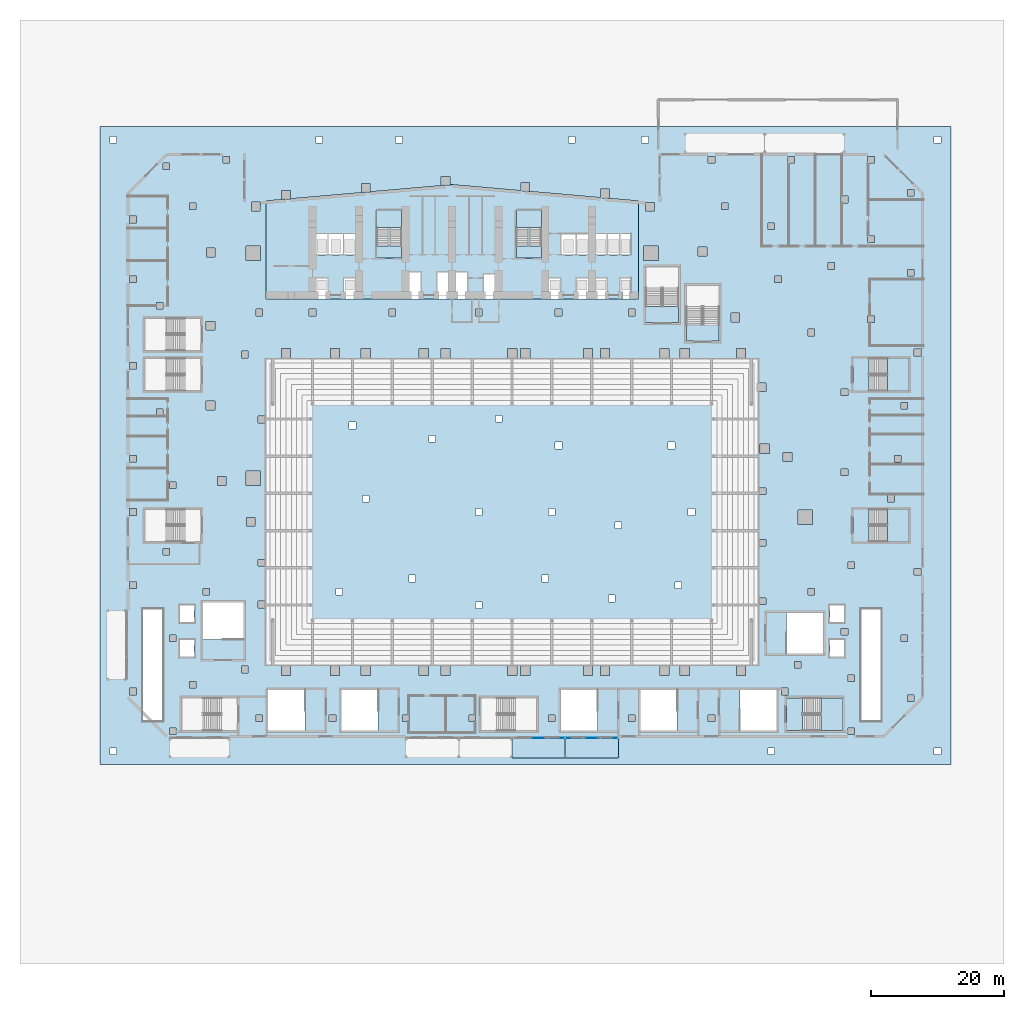
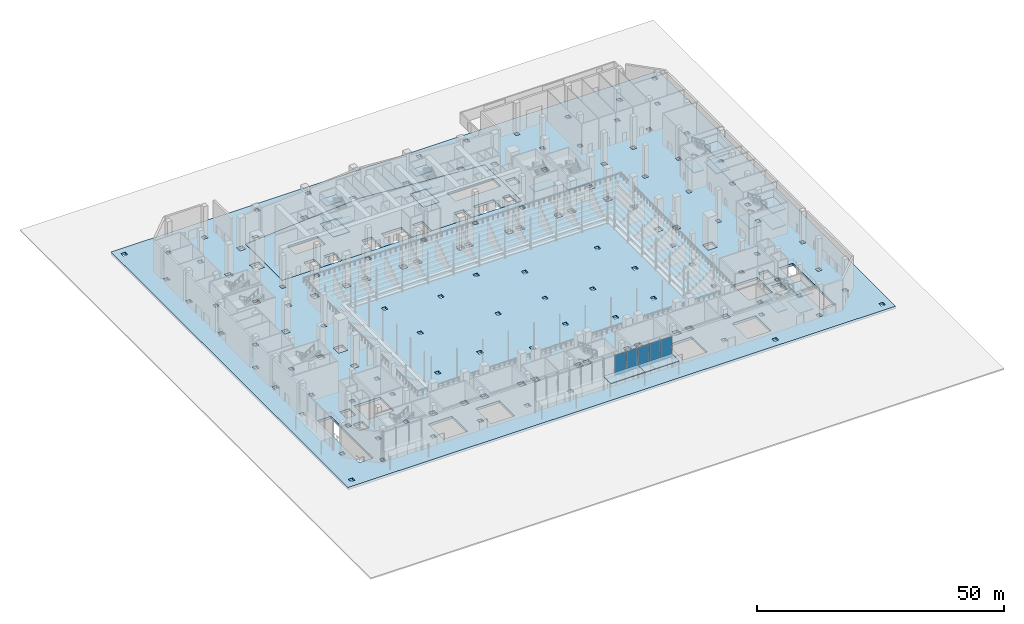
# One storey, part 18 of 41: 23 slabs, 5 plates, 9 elements without a shape of their own.
"""IFC4 building model written with IfcOpenShell, lengths in metres."""

from ifc_helpers import new_model, si_unit, direction, frame, origin, origin_2d, place, context, subcontext, project, spatial, polyline, rectangle, outline, extrude, material, layer, layer_set, type_object, element, aggregate, save


model = new_model("IFC4")

# Units and contexts
model_context = context("Model", 3, precision=1e-05, world=origin(), true_north=direction((0.0, 1.0)))
body_context = subcontext(model_context, "Body", "Model", "MODEL_VIEW")
ifc_project = project(units=[si_unit("LENGTHUNIT", "METRE"), si_unit("AREAUNIT", "SQUARE_METRE"), si_unit("VOLUMEUNIT", "CUBIC_METRE"), si_unit("PLANEANGLEUNIT", "RADIAN"), si_unit("MASSUNIT", "GRAM", prefix="KILO")], contexts=[model_context])

# Site, building, storey
site_placement = place(None, origin())
site = spatial("IfcSite", under=ifc_project, at=site_placement, CompositionType="ELEMENT")
building_placement = place(site_placement, origin())
building = spatial("IfcBuilding", under=site, at=building_placement, Name="Wharfspan Tower", CompositionType="ELEMENT")
storey_placement = place(building_placement, origin())
storey = spatial("IfcBuildingStorey", under=building, at=storey_placement, Name="L00", CompositionType="ELEMENT", Elevation=0.0)

# Slabs
ifc_material_1 = material(Name="Concrete C40/50", Category="concrete")
ifc_layer_1 = layer(ifc_material_1, 0.199951)
ifc_layer_set_1 = layer_set([ifc_layer_1], Name="Concrete C40/50")
slab_type_1 = type_object("IfcSlabType", Name="ENTRANCE CANOPY 200", PredefinedType="ROOF", material=ifc_layer_set_1)
slab_1_placement = place(storey_placement, frame((0.0, 0.0, 3.199707)))
element("IfcSlab", 1, at=slab_1_placement, inside=storey, type_object=slab_type_1, Name="Entrance canopy", PredefinedType="ROOF", context=body_context, shape_type="SweptSolid", body=[
    extrude(outline(polyline([(46.0, -32.0), (54.0, -32.0), (54.0, -35.0), (46.0, -35.0), (46.0, -32.0)])), origin(), (0.0, 0.0, 1.0), 0.200195),
])
slab_2_placement = place(storey_placement, frame((0.0, 0.0, 3.199707)))
element("IfcSlab", 2, at=slab_2_placement, inside=storey, type_object=slab_type_1, Name="Entrance canopy", PredefinedType="ROOF", context=body_context, shape_type="SweptSolid", body=[
    extrude(outline(polyline([(54.0, -32.0), (62.0, -32.0), (62.0, -35.0), (54.0, -35.0), (54.0, -32.0)])), origin(), (0.0, 0.0, 1.0), 0.200195),
])

# Curtain wall, plates
ifc_material_2 = material(Name="Aluminium 6063-T6", Category="aluminium")
curtain_wall_type = type_object("IfcCurtainWallType", Name="CURTAIN WALL STATION SCREEN", PredefinedType="NOTDEFINED", material=ifc_material_2)
curtain_wall_1_placement = place(storey_placement, origin())
curtain_wall_1 = element("IfcCurtainWall", 3, at=curtain_wall_1_placement, inside=storey, type_object=curtain_wall_type, Name="Station entrance screen PF1.3", PredefinedType="NOTDEFINED")
ifc_material_3 = material(Name="Glass clear laminated double glazing", Category="glass")
ifc_layer_2 = layer(ifc_material_3, 0.043945)
ifc_layer_set_2 = layer_set([ifc_layer_2], Name="Glass clear laminated double glazing")
plate_type = type_object("IfcPlateType", Name="GLASS PANEL STATION SCREEN 44", PredefinedType="CURTAIN_PANEL", material=ifc_layer_set_2)
plate_1_placement = place(storey_placement, frame((50.0, -32.0, 2.600098), z_axis=(0.0, 0.0, 1.0), x_axis=(1.0, 0.0, 0.0)))
plate_1 = element("IfcPlate", 4, at=plate_1_placement, type_object=plate_type, Name="Station entrance screen PF1.3 panel 2", PredefinedType="CURTAIN_PANEL", context=body_context, shape_type="SweptSolid", body=[
    extrude(rectangle(XDim=2.58667, YDim=0.043945, at=origin_2d()), origin(), (0.0, 0.0, 1.0), 5.0),
])
plate_2_placement = place(storey_placement, frame((52.646729, -32.0, 2.600098), z_axis=(0.0, 0.0, 1.0), x_axis=(1.0, 0.0, 0.0)))
plate_2 = element("IfcPlate", 5, at=plate_2_placement, type_object=plate_type, Name="Station entrance screen PF1.3 panel 3", PredefinedType="CURTAIN_PANEL", context=body_context, shape_type="SweptSolid", body=[
    extrude(rectangle(XDim=2.546631, YDim=0.043945, at=origin_2d()), origin(), (0.0, 0.0, 1.0), 5.0),
])
aggregate(curtain_wall_1, [plate_1, plate_2])

curtain_wall_2_placement = place(storey_placement, origin())
curtain_wall_2 = element("IfcCurtainWall", 6, at=curtain_wall_2_placement, inside=storey, type_object=curtain_wall_type, Name="Station entrance screen PF1.4", PredefinedType="NOTDEFINED")
plate_3_placement = place(storey_placement, frame((55.353271, -32.0, 2.600098), z_axis=(0.0, 0.0, 1.0), x_axis=(1.0, 0.0, 0.0)))
plate_3 = element("IfcPlate", 7, at=plate_3_placement, type_object=plate_type, Name="Station entrance screen PF1.4 panel 1", PredefinedType="CURTAIN_PANEL", context=body_context, shape_type="SweptSolid", body=[
    extrude(rectangle(XDim=2.546631, YDim=0.043945, at=origin_2d()), origin(), (0.0, 0.0, 1.0), 5.0),
])
plate_4_placement = place(storey_placement, frame((58.0, -32.0, 2.600098), z_axis=(0.0, 0.0, 1.0), x_axis=(1.0, 0.0, 0.0)))
plate_4 = element("IfcPlate", 8, at=plate_4_placement, type_object=plate_type, Name="Station entrance screen PF1.4 panel 2", PredefinedType="CURTAIN_PANEL", context=body_context, shape_type="SweptSolid", body=[
    extrude(rectangle(XDim=2.58667, YDim=0.043945, at=origin_2d()), origin(), (0.0, 0.0, 1.0), 5.0),
])
plate_5_placement = place(storey_placement, frame((60.646729, -32.0, 2.600098), z_axis=(0.0, 0.0, 1.0), x_axis=(1.0, 0.0, 0.0)))
plate_5 = element("IfcPlate", 9, at=plate_5_placement, type_object=plate_type, Name="Station entrance screen PF1.4 panel 3", PredefinedType="CURTAIN_PANEL", context=body_context, shape_type="SweptSolid", body=[
    extrude(rectangle(XDim=2.546631, YDim=0.043945, at=origin_2d()), origin(), (0.0, 0.0, 1.0), 5.0),
])
aggregate(curtain_wall_2, [plate_3, plate_4, plate_5])

# Slabs
ifc_material_4 = material(Name="Concrete C35/45", Category="concrete")
ifc_layer_3 = layer(ifc_material_4, 0.600098)
ifc_layer_set_3 = layer_set([ifc_layer_3], Name="Concrete C35/45")
slab_type_2 = type_object("IfcSlabType", Name="Ground deck 600", PredefinedType="FLOOR", material=ifc_layer_set_3)
slab_3_placement = place(storey_placement, frame((0.0, 0.0, -0.600098)))
element("IfcSlab", 10, at=slab_3_placement, inside=storey, type_object=slab_type_2, Name="Arena floor and plaza deck", PredefinedType="FLOOR", context=body_context, shape_type="SweptSolid", body=[
    extrude(outline(polyline([(112.0, 60.0), (112.0, -36.0), (-16.0, -36.0), (-16.0, 60.0), (112.0, 60.0)]), holes=[polyline([(65.0, 34.0), (65.0, 48.787354), (60.0, 49.224854), (60.659912, 49.224854), (60.659912, 50.544922), (59.340088, 50.544922), (59.340088, 49.282715), (48.0, 50.274658), (48.659912, 50.274658), (48.659912, 51.594727), (47.340088, 51.594727), (47.340088, 50.33252), (37.0, 51.237061), (36.659912, 51.207275), (36.659912, 52.469482), (35.340088, 52.469482), (35.340088, 51.149658), (36.0, 51.149658), (24.659912, 50.157471), (24.659912, 51.419678), (23.340088, 51.419678), (23.340088, 50.099609), (24.0, 50.099609), (12.659912, 49.107666), (12.659912, 50.369873), (11.340088, 50.369873), (11.340088, 49.049805), (12.0, 49.049805), (9.0, 48.787354), (9.0, 34.0), (65.0, 34.0)]), polyline([(9.300049, -24.75), (9.300049, -30.899902), (14.850098, -30.899902), (14.850098, -24.75), (9.300049, -24.75)]), polyline([(25.850098, -24.75), (20.300049, -24.75), (20.300049, -30.899902), (25.850098, -30.899902), (25.850098, -24.75)]), polyline([(58.850098, -24.75), (53.300049, -24.75), (53.300049, -30.899902), (58.850098, -30.899902), (58.850098, -24.75)]), polyline([(-9.600098, -12.5), (-9.600098, -29.5), (-6.399902, -29.5), (-6.399902, -12.5), (-9.600098, -12.5)]), polyline([(-1.800049, -17.199951), (-4.0, -17.199951), (-4.0, -19.800049), (-1.800049, -19.800049), (-1.800049, -17.199951)]), polyline([(5.649902, -11.600098), (-0.5, -11.600098), (-0.5, -17.149902), (5.649902, -17.149902), (5.649902, -11.600098)]), polyline([(-4.0, -12.0), (-4.0, -14.600098), (-1.800049, -14.600098), (-1.800049, -12.0), (-4.0, -12.0)]), polyline([(70.850098, -24.75), (65.300049, -24.75), (65.300049, -30.899902), (70.850098, -30.899902), (70.850098, -24.75)]), polyline([(85.850098, -24.75), (80.300049, -24.75), (80.300049, -30.899902), (85.850098, -30.899902), (85.850098, -24.75)]), polyline([(101.600098, -12.5), (98.399902, -12.5), (98.399902, -29.5), (101.600098, -29.5), (101.600098, -12.5)]), polyline([(96.0, -17.199951), (93.800049, -17.199951), (93.800049, -19.800049), (96.0, -19.800049), (96.0, -17.199951)]), polyline([(92.850098, -13.149902), (87.300049, -13.149902), (87.300049, -19.300049), (92.850098, -19.300049), (92.850098, -13.149902)]), polyline([(96.0, -12.0), (93.800049, -12.0), (93.800049, -14.600098), (96.0, -14.600098), (96.0, -12.0)]), polyline([(-14.5, -33.5), (-14.5, -34.5), (-13.5, -34.5), (-13.5, -33.5), (-14.5, -33.5)]), polyline([(-5.5, -30.5), (-5.5, -31.5), (-4.5, -31.5), (-4.5, -30.5), (-5.5, -30.5)]), polyline([(7.5, -28.5), (7.5, -29.5), (8.5, -29.5), (8.5, -28.5), (7.5, -28.5)]), polyline([(-11.5, -24.5), (-11.5, -25.5), (-10.5, -25.5), (-10.5, -24.5), (-11.5, -24.5)]), polyline([(-2.5, -23.5), (-2.5, -24.5), (-1.5, -24.5), (-1.5, -23.5), (-2.5, -23.5)]), polyline([(5.300049, -21.199951), (5.300049, -22.199951), (6.300049, -22.199951), (6.300049, -21.199951), (5.300049, -21.199951)]), polyline([(-5.5, -16.5), (-5.5, -17.5), (-4.5, -17.5), (-4.5, -16.5), (-5.5, -16.5)]), polyline([(7.800049, -11.419922), (7.800049, -12.419922), (8.800049, -12.419922), (8.800049, -11.419922), (7.800049, -11.419922)]), polyline([(-0.5, -9.5), (-0.5, -10.5), (0.5, -10.5), (0.5, -9.5), (-0.5, -9.5)]), polyline([(-11.5, -8.5), (-11.5, -9.5), (-10.5, -9.5), (-10.5, -8.5), (-11.5, -8.5)]), polyline([(7.800049, -5.139893), (7.800049, -6.139893), (8.800049, -6.139893), (8.800049, -5.139893), (7.800049, -5.139893)]), polyline([(-6.5, -3.5), (-6.5, -4.5), (-5.5, -4.5), (-5.5, -3.5), (-6.5, -3.5)]), polyline([(6.034424, 1.188721), (6.034424, -0.131348), (7.354492, -0.131348), (7.354492, 1.188721), (6.034424, 1.188721)]), polyline([(-11.5, 2.5), (-11.5, 1.5), (-10.5, 1.5), (-10.5, 2.5), (-11.5, 2.5)]), polyline([(-5.5, 6.5), (-5.5, 5.5), (-4.5, 5.5), (-4.5, 6.5), (-5.5, 6.5)]), polyline([(2.991699, 7.327393), (1.671631, 7.327393), (1.671631, 6.007324), (2.991699, 6.007324), (2.991699, 7.327393)]), polyline([(8.199951, 8.199951), (6.0, 8.199951), (6.0, 6.0), (8.199951, 6.0), (8.199951, 8.199951)]), polyline([(-11.5, 10.5), (-11.5, 9.5), (-10.5, 9.5), (-10.5, 10.5), (-11.5, 10.5)]), polyline([(7.800049, 16.419922), (7.800049, 15.419922), (8.800049, 15.419922), (8.800049, 16.419922), (7.800049, 16.419922)]), polyline([(-7.5, 17.5), (-7.5, 16.5), (-6.5, 16.5), (-6.5, 17.5), (-7.5, 17.5)]), polyline([(0.0, 18.659912), (0.0, 17.340088), (1.320068, 17.340088), (1.320068, 18.659912), (0.0, 18.659912)]), polyline([(-11.5, 24.5), (-11.5, 23.5), (-10.5, 23.5), (-10.5, 24.5), (-11.5, 24.5)]), polyline([(5.300049, 26.199951), (5.300049, 25.199951), (6.300049, 25.199951), (6.300049, 26.199951), (5.300049, 26.199951)]), polyline([(0.0, 30.659912), (0.0, 29.340088), (1.320068, 29.340088), (1.320068, 30.659912), (0.0, 30.659912)]), polyline([(7.5, 32.5), (7.5, 31.5), (8.5, 31.5), (8.5, 32.5), (7.5, 32.5)]), polyline([(-7.5, 33.5), (-7.5, 32.5), (-6.5, 32.5), (-6.5, 33.5), (-7.5, 33.5)]), polyline([(-11.5, 37.5), (-11.5, 36.5), (-10.5, 36.5), (-10.5, 37.5), (-11.5, 37.5)]), polyline([(6.0, 42.0), (6.0, 39.800049), (8.199951, 39.800049), (8.199951, 42.0), (6.0, 42.0)]), polyline([(0.024902, 41.694092), (0.024902, 40.374268), (1.344727, 40.374268), (1.344727, 41.694092), (0.024902, 41.694092)]), polyline([(-11.5, 46.5), (-11.5, 45.5), (-10.5, 45.5), (-10.5, 46.5), (-11.5, 46.5)]), polyline([(6.806396, 48.59375), (6.806396, 47.273682), (8.126465, 47.273682), (8.126465, 48.59375), (6.806396, 48.59375)]), polyline([(-2.5, 48.5), (-2.5, 47.5), (-1.5, 47.5), (-1.5, 48.5), (-2.5, 48.5)]), polyline([(-5.5, 54.5), (-6.5, 54.5), (-6.5, 53.5), (-5.5, 53.5), (-5.5, 54.5)]), polyline([(3.5, 55.5), (2.5, 55.5), (2.5, 54.5), (3.5, 54.5), (3.5, 55.5)]), polyline([(-14.5, 58.5), (-14.5, 57.5), (-13.5, 57.5), (-13.5, 58.5), (-14.5, 58.5)]), polyline([(18.5, -28.5), (18.5, -29.5), (19.5, -29.5), (19.5, -28.5), (18.5, -28.5)]), polyline([(39.5, -28.5), (39.5, -29.5), (40.5, -29.5), (40.5, -28.5), (39.5, -28.5)]), polyline([(29.5, -28.5), (29.5, -29.5), (30.5, -29.5), (30.5, -28.5), (29.5, -28.5)]), polyline([(11.300049, -21.199951), (11.300049, -22.600098), (12.699951, -22.600098), (12.699951, -21.199951), (11.300049, -21.199951)]), polyline([(47.300049, -21.199951), (47.300049, -22.600098), (48.699951, -22.600098), (48.699951, -21.199951), (47.300049, -21.199951)]), polyline([(45.342041, -21.199951), (45.342041, -22.600098), (46.741943, -22.600098), (46.741943, -21.199951), (45.342041, -21.199951)]), polyline([(18.690918, -21.199951), (18.690918, -22.600098), (20.091064, -22.600098), (20.091064, -21.199951), (18.690918, -21.199951)]), polyline([(35.300049, -21.199951), (35.300049, -22.600098), (36.699951, -22.600098), (36.699951, -21.199951), (35.300049, -21.199951)]), polyline([(32.023926, -21.199951), (32.023926, -22.600098), (33.424072, -22.600098), (33.424072, -21.199951), (32.023926, -21.199951)]), polyline([(23.300049, -21.199951), (23.300049, -22.600098), (24.699951, -22.600098), (24.699951, -21.199951), (23.300049, -21.199951)]), polyline([(40.5, -11.5), (40.5, -12.5), (41.5, -12.5), (41.5, -11.5), (40.5, -11.5)]), polyline([(19.5, -9.5), (19.5, -10.5), (20.5, -10.5), (20.5, -9.5), (19.5, -9.5)]), polyline([(30.5, -7.5), (30.5, -8.5), (31.5, -8.5), (31.5, -7.5), (30.5, -7.5)]), polyline([(50.5, -7.5), (50.5, -8.5), (51.5, -8.5), (51.5, -7.5), (50.5, -7.5)]), polyline([(41.5, 2.5), (40.5, 2.5), (40.5, 1.5), (41.5, 1.5), (41.5, 2.5)]), polyline([(24.5, 4.5), (23.5, 4.5), (23.5, 3.5), (24.5, 3.5), (24.5, 4.5)]), polyline([(33.5, 13.5), (33.5, 12.5), (34.5, 12.5), (34.5, 13.5), (33.5, 13.5)]), polyline([(21.5, 15.5), (21.5, 14.5), (22.5, 14.5), (22.5, 15.5), (21.5, 15.5)]), polyline([(43.5, 16.5), (43.5, 15.5), (44.5, 15.5), (44.5, 16.5), (43.5, 16.5)]), polyline([(11.300049, 26.600098), (11.300049, 25.199951), (12.699951, 25.199951), (12.699951, 26.600098), (11.300049, 26.600098)]), polyline([(32.023926, 26.600098), (32.023926, 25.199951), (33.424072, 25.199951), (33.424072, 26.600098), (32.023926, 26.600098)]), polyline([(35.300049, 26.600098), (35.300049, 25.199951), (36.699951, 25.199951), (36.699951, 26.600098), (35.300049, 26.600098)]), polyline([(23.300049, 26.600098), (23.300049, 25.199951), (24.699951, 25.199951), (24.699951, 26.600098), (23.300049, 26.600098)]), polyline([(48.699951, 26.600098), (47.300049, 26.600098), (47.300049, 25.199951), (48.699951, 25.199951), (48.699951, 26.600098)]), polyline([(20.091064, 26.600098), (18.690918, 26.600098), (18.690918, 25.199951), (20.091064, 25.199951), (20.091064, 26.600098)]), polyline([(45.342041, 26.600098), (45.342041, 25.199951), (46.741943, 25.199951), (46.741943, 26.600098), (45.342041, 26.600098)]), polyline([(27.5, 32.5), (27.5, 31.5), (28.5, 31.5), (28.5, 32.5), (27.5, 32.5)]), polyline([(15.5, 32.5), (15.5, 31.5), (16.5, 31.5), (16.5, 32.5), (15.5, 32.5)]), polyline([(40.5, 32.5), (40.5, 31.5), (41.5, 31.5), (41.5, 32.5), (40.5, 32.5)]), polyline([(17.5, 58.5), (16.5, 58.5), (16.5, 57.5), (17.5, 57.5), (17.5, 58.5)]), polyline([(28.5, 58.5), (28.5, 57.5), (29.5, 57.5), (29.5, 58.5), (28.5, 58.5)]), polyline([(51.5, -28.5), (51.5, -29.5), (52.5, -29.5), (52.5, -28.5), (51.5, -28.5)]), polyline([(75.5, -28.5), (75.5, -29.5), (76.5, -29.5), (76.5, -28.5), (75.5, -28.5)]), polyline([(63.5, -28.5), (63.5, -29.5), (64.5, -29.5), (64.5, -28.5), (63.5, -28.5)]), polyline([(56.741943, -21.199951), (56.741943, -22.600098), (58.14209, -22.600098), (58.14209, -21.199951), (56.741943, -21.199951)]), polyline([(79.741943, -21.199951), (79.741943, -22.600098), (81.14209, -22.600098), (81.14209, -21.199951), (79.741943, -21.199951)]), polyline([(59.300049, -21.199951), (59.300049, -22.600098), (60.699951, -22.600098), (60.699951, -21.199951), (59.300049, -21.199951)]), polyline([(71.300049, -21.199951), (71.300049, -22.600098), (72.699951, -22.600098), (72.699951, -21.199951), (71.300049, -21.199951)]), polyline([(68.241943, -21.199951), (68.241943, -22.600098), (69.64209, -22.600098), (69.64209, -21.199951), (68.241943, -21.199951)]), polyline([(83.199951, -10.919922), (83.199951, -11.919922), (84.199951, -11.919922), (84.199951, -10.919922), (83.199951, -10.919922)]), polyline([(60.5, -10.5), (60.5, -11.5), (61.5, -11.5), (61.5, -10.5), (60.5, -10.5)]), polyline([(70.5, -8.5), (70.5, -9.5), (71.5, -9.5), (71.5, -8.5), (70.5, -8.5)]), polyline([(83.199951, -2.139893), (83.199951, -3.139893), (84.199951, -3.139893), (84.199951, -2.139893), (83.199951, -2.139893)]), polyline([(61.5, 0.5), (61.5, -0.5), (62.5, -0.5), (62.5, 0.5), (61.5, 0.5)]), polyline([(51.5, 2.5), (51.5, 1.5), (52.5, 1.5), (52.5, 2.5), (51.5, 2.5)]), polyline([(73.5, 2.5), (72.5, 2.5), (72.5, 1.5), (73.5, 1.5), (73.5, 2.5)]), polyline([(84.199951, 5.639893), (83.199951, 5.639893), (83.199951, 4.639893), (84.199951, 4.639893), (84.199951, 5.639893)]), polyline([(52.5, 12.5), (52.5, 11.5), (53.5, 11.5), (53.5, 12.5), (52.5, 12.5)]), polyline([(69.5, 12.5), (69.5, 11.5), (70.5, 11.5), (70.5, 12.5), (69.5, 12.5)]), polyline([(82.846924, 21.428223), (82.846924, 20.108398), (84.166992, 20.108398), (84.166992, 21.428223), (82.846924, 21.428223)]), polyline([(59.300049, 26.600098), (59.300049, 25.199951), (60.699951, 25.199951), (60.699951, 26.600098), (59.300049, 26.600098)]), polyline([(56.741943, 26.600098), (56.741943, 25.199951), (58.14209, 25.199951), (58.14209, 26.600098), (56.741943, 26.600098)]), polyline([(79.741943, 26.600098), (79.741943, 25.199951), (81.14209, 25.199951), (81.14209, 26.600098), (79.741943, 26.600098)]), polyline([(71.300049, 26.600098), (71.300049, 25.199951), (72.699951, 25.199951), (72.699951, 26.600098), (71.300049, 26.600098)]), polyline([(68.241943, 26.600098), (68.241943, 25.199951), (69.64209, 25.199951), (69.64209, 26.600098), (68.241943, 26.600098)]), polyline([(78.909424, 31.928223), (78.909424, 30.608398), (80.229492, 30.608398), (80.229492, 31.928223), (78.909424, 31.928223)]), polyline([(63.5, 32.5), (63.5, 31.5), (64.5, 31.5), (64.5, 32.5), (63.5, 32.5)]), polyline([(52.5, 32.5), (52.5, 31.5), (53.5, 31.5), (53.5, 32.5), (52.5, 32.5)]), polyline([(65.800049, 42.0), (65.800049, 39.800049), (68.0, 39.800049), (68.0, 42.0), (65.800049, 42.0)]), polyline([(73.974365, 41.856201), (73.974365, 40.536377), (75.294434, 40.536377), (75.294434, 41.856201), (73.974365, 41.856201)]), polyline([(66.087646, 48.575195), (66.087646, 47.255371), (67.407715, 47.255371), (67.407715, 48.575195), (66.087646, 48.575195)]), polyline([(77.5, 48.5), (77.5, 47.5), (78.5, 47.5), (78.5, 48.5), (77.5, 48.5)]), polyline([(76.5, 55.5), (75.5, 55.5), (75.5, 54.5), (76.5, 54.5), (76.5, 55.5)]), polyline([(65.5, 58.5), (65.5, 57.5), (66.5, 57.5), (66.5, 58.5), (65.5, 58.5)]), polyline([(54.5, 58.5), (54.5, 57.5), (55.5, 57.5), (55.5, 58.5), (54.5, 58.5)]), polyline([(84.5, -33.5), (84.5, -34.5), (85.5, -34.5), (85.5, -33.5), (84.5, -33.5)]), polyline([(109.5, -33.5), (109.5, -34.5), (110.5, -34.5), (110.5, -33.5), (109.5, -33.5)]), polyline([(96.5, -30.5), (96.5, -31.5), (97.5, -31.5), (97.5, -30.5), (96.5, -30.5)]), polyline([(105.5, -25.5), (105.5, -26.5), (106.5, -26.5), (106.5, -25.5), (105.5, -25.5)]), polyline([(86.5, -24.5), (86.5, -25.5), (87.5, -25.5), (87.5, -24.5), (86.5, -24.5)]), polyline([(96.5, -22.5), (96.5, -23.5), (97.5, -23.5), (97.5, -22.5), (96.5, -22.5)]), polyline([(88.5, -20.5), (88.5, -21.5), (89.5, -21.5), (89.5, -20.5), (88.5, -20.5)]), polyline([(104.5, -16.5), (104.5, -17.5), (105.5, -17.5), (105.5, -16.5), (104.5, -16.5)]), polyline([(95.5, -15.5), (95.5, -16.5), (96.5, -16.5), (96.5, -15.5), (95.5, -15.5)]), polyline([(90.5, -9.5), (90.5, -10.5), (91.5, -10.5), (91.5, -9.5), (90.5, -9.5)]), polyline([(106.5, -6.5), (106.5, -7.5), (107.5, -7.5), (107.5, -6.5), (106.5, -6.5)]), polyline([(96.5, -5.5), (96.5, -6.5), (97.5, -6.5), (97.5, -5.5), (96.5, -5.5)]), polyline([(88.996582, 2.299805), (88.996582, 0.099609), (91.196533, 0.099609), (91.196533, 2.299805), (88.996582, 2.299805)]), polyline([(103.5, 4.5), (102.5, 4.5), (102.5, 3.5), (103.5, 3.5), (103.5, 4.5)]), polyline([(96.5, 8.5), (95.5, 8.5), (95.5, 7.5), (96.5, 7.5), (96.5, 8.5)]), polyline([(103.5, 10.5), (103.5, 9.5), (104.5, 9.5), (104.5, 10.5), (103.5, 10.5)]), polyline([(86.784424, 10.928223), (86.784424, 9.608398), (88.104492, 9.608398), (88.104492, 10.928223), (86.784424, 10.928223)]), polyline([(83.300049, 12.199951), (83.300049, 10.800049), (84.699951, 10.800049), (84.699951, 12.199951), (83.300049, 12.199951)]), polyline([(104.5, 18.5), (104.5, 17.5), (105.5, 17.5), (105.5, 18.5), (104.5, 18.5)]), polyline([(95.5, 20.5), (95.5, 19.5), (96.5, 19.5), (96.5, 20.5), (95.5, 20.5)]), polyline([(106.5, 26.5), (106.5, 25.5), (107.5, 25.5), (107.5, 26.5), (106.5, 26.5)]), polyline([(90.5, 29.5), (90.5, 28.5), (91.5, 28.5), (91.5, 29.5), (90.5, 29.5)]), polyline([(100.5, 31.5), (99.5, 31.5), (99.5, 30.5), (100.5, 30.5), (100.5, 31.5)]), polyline([(86.5, 37.5), (85.5, 37.5), (85.5, 36.5), (86.5, 36.5), (86.5, 37.5)]), polyline([(105.5, 38.5), (105.5, 37.5), (106.5, 37.5), (106.5, 38.5), (105.5, 38.5)]), polyline([(93.5, 39.5), (93.5, 38.5), (94.5, 38.5), (94.5, 39.5), (93.5, 39.5)]), polyline([(99.5, 43.5), (99.5, 42.5), (100.5, 42.5), (100.5, 43.5), (99.5, 43.5)]), polyline([(84.5, 45.5), (84.5, 44.5), (85.5, 44.5), (85.5, 45.5), (84.5, 45.5)]), polyline([(95.5, 49.5), (95.5, 48.5), (96.5, 48.5), (96.5, 49.5), (95.5, 49.5)]), polyline([(105.5, 50.5), (105.5, 49.5), (106.5, 49.5), (106.5, 50.5), (105.5, 50.5)]), polyline([(99.5, 55.5), (99.5, 54.5), (100.5, 54.5), (100.5, 55.5), (99.5, 55.5)]), polyline([(88.5, 55.5), (87.5, 55.5), (87.5, 54.5), (88.5, 54.5), (88.5, 55.5)]), polyline([(110.5, 58.5), (109.5, 58.5), (109.5, 57.5), (110.5, 57.5), (110.5, 58.5)])]), origin(), (0.0, 0.0, 1.0), 0.600098),
])
slab_4_placement = place(storey_placement, frame((0.0, 0.0, -0.600098)))
element("IfcSlab", 11, at=slab_4_placement, inside=storey, type_object=slab_type_2, Name="Core floor L00", PredefinedType="FLOOR", context=body_context, shape_type="SweptSolid", body=[
    extrude(outline(polyline([(65.0, 48.787354), (65.0, 34.0), (64.01001, 34.0), (64.01001, 37.26001), (62.656738, 37.26001), (62.656738, 37.159912), (62.290039, 37.159912), (62.290039, 35.189941), (62.656738, 35.189941), (62.656738, 34.0), (60.343262, 34.0), (60.343262, 37.26001), (55.656738, 37.26001), (55.656738, 34.0), (53.343262, 34.0), (53.343262, 37.26001), (50.98999, 37.26001), (50.98999, 34.0), (44.01001, 34.0), (44.01001, 37.860107), (41.656738, 37.860107), (41.656738, 34.0), (39.343262, 34.0), (39.343262, 38.159912), (34.656738, 38.159912), (34.656738, 34.0), (32.343262, 34.0), (32.343262, 38.159912), (29.98999, 38.159912), (29.98999, 34.0), (23.01001, 34.0), (23.01001, 37.26001), (20.656738, 37.26001), (20.656738, 34.0), (18.343262, 34.0), (18.343262, 37.26001), (15.98999, 37.26001), (15.98999, 34.0), (9.0, 34.0), (9.0, 48.787354), (37.0, 51.237061), (65.0, 48.787354)]), holes=[polyline([(53.323242, 43.909912), (53.323242, 40.689941), (64.01001, 40.689941), (64.01001, 43.909912), (53.323242, 43.909912)]), polyline([(50.409912, 41.98999), (50.409912, 47.409912), (46.639893, 47.409912), (46.639893, 41.98999), (50.409912, 41.98999)]), polyline([(29.409912, 41.98999), (29.409912, 47.409912), (25.639893, 47.409912), (25.639893, 41.98999), (29.409912, 41.98999)]), polyline([(20.676758, 40.689941), (23.01001, 40.689941), (23.01001, 43.909912), (20.676758, 43.909912), (20.656738, 43.909912), (15.98999, 43.909912), (15.98999, 40.689941), (20.656738, 40.689941), (20.676758, 40.689941)])]), origin(), (0.0, 0.0, 1.0), 0.600098),
])

# Stair, slabs
stair_type_1 = type_object("IfcStairType", Name="Half-turn stair 2400 wide 44 risers 182 mm", PredefinedType="HALF_TURN_STAIR", material=ifc_material_1)
stair_1_placement = place(storey_placement, origin())
stair_1 = element("IfcStair", 12, at=stair_1_placement, inside=storey, type_object=stair_type_1, Name="L00 stair AS2", PredefinedType="HALF_TURN_STAIR")
ifc_layer_4 = layer(ifc_material_1, 0.199951)
ifc_layer_set_4 = layer_set([ifc_layer_4], Name="Concrete C40/50")
slab_type_3 = type_object("IfcSlabType", Name="Podium stair landing 200", PredefinedType="LANDING", material=ifc_layer_set_4)
slab_5_placement = place(storey_placement, frame((0.0, 0.0, 1.799805)))
slab_5 = element("IfcSlab", 13, at=slab_5_placement, type_object=slab_type_3, Name="AS2 landing 1", PredefinedType="LANDING", context=body_context, shape_type="SweptSolid", body=[
    extrude(outline(polyline([(92.5, -30.899902), (95.699951, -30.899902), (95.699951, -25.949951), (92.5, -25.949951), (92.5, -30.899902)])), origin(), (0.0, 0.0, 1.0), 0.200195),
])
slab_6_placement = place(storey_placement, frame((0.0, 0.0, 3.799805)))
slab_6 = element("IfcSlab", 14, at=slab_6_placement, type_object=slab_type_3, Name="AS2 landing 2", PredefinedType="LANDING", context=body_context, shape_type="SweptSolid", body=[
    extrude(outline(polyline([(87.300049, -30.899902), (89.699951, -30.899902), (89.699951, -25.949951), (87.300049, -25.949951), (87.300049, -30.899902)])), origin(), (0.0, 0.0, 1.0), 0.200195),
])
slab_7_placement = place(storey_placement, frame((0.0, 0.0, 5.799805)))
slab_7 = element("IfcSlab", 15, at=slab_7_placement, type_object=slab_type_3, Name="AS2 landing 3", PredefinedType="LANDING", context=body_context, shape_type="SweptSolid", body=[
    extrude(outline(polyline([(92.5, -30.899902), (95.699951, -30.899902), (95.699951, -25.949951), (92.5, -25.949951), (92.5, -30.899902)])), origin(), (0.0, 0.0, 1.0), 0.200195),
])
aggregate(stair_1, [slab_5, slab_6, slab_7])

stair_2_placement = place(storey_placement, origin())
stair_2 = element("IfcStair", 16, at=stair_2_placement, inside=storey, type_object=stair_type_1, Name="L00 stair AS8", PredefinedType="HALF_TURN_STAIR")
slab_8_placement = place(storey_placement, frame((0.0, 0.0, 1.799805)))
slab_8 = element("IfcSlab", 17, at=slab_8_placement, type_object=slab_type_3, Name="AS8 landing 1", PredefinedType="LANDING", context=body_context, shape_type="SweptSolid", body=[
    extrude(outline(polyline([(102.5, -2.5), (105.699951, -2.5), (105.699951, 2.449951), (102.5, 2.449951), (102.5, -2.5)])), origin(), (0.0, 0.0, 1.0), 0.200195),
])
slab_9_placement = place(storey_placement, frame((0.0, 0.0, 3.799805)))
slab_9 = element("IfcSlab", 18, at=slab_9_placement, type_object=slab_type_3, Name="AS8 landing 2", PredefinedType="LANDING", context=body_context, shape_type="SweptSolid", body=[
    extrude(outline(polyline([(97.300049, -2.5), (99.699951, -2.5), (99.699951, 2.449951), (97.300049, 2.449951), (97.300049, -2.5)])), origin(), (0.0, 0.0, 1.0), 0.200195),
])
slab_10_placement = place(storey_placement, frame((0.0, 0.0, 5.799805)))
slab_10 = element("IfcSlab", 19, at=slab_10_placement, type_object=slab_type_3, Name="AS8 landing 3", PredefinedType="LANDING", context=body_context, shape_type="SweptSolid", body=[
    extrude(outline(polyline([(102.5, -2.5), (105.699951, -2.5), (105.699951, 2.449951), (102.5, 2.449951), (102.5, -2.5)])), origin(), (0.0, 0.0, 1.0), 0.200195),
])
aggregate(stair_2, [slab_8, slab_9, slab_10])

stair_3_placement = place(storey_placement, origin())
stair_3 = element("IfcStair", 20, at=stair_3_placement, inside=storey, type_object=stair_type_1, Name="L00 stair AS4", PredefinedType="HALF_TURN_STAIR")
slab_11_placement = place(storey_placement, frame((0.0, 0.0, 1.799805)))
slab_11 = element("IfcSlab", 21, at=slab_11_placement, type_object=slab_type_3, Name="AS4 landing 1", PredefinedType="LANDING", context=body_context, shape_type="SweptSolid", body=[
    extrude(outline(polyline([(102.5, 20.199951), (105.699951, 20.199951), (105.699951, 25.149902), (102.5, 25.149902), (102.5, 20.199951)])), origin(), (0.0, 0.0, 1.0), 0.200195),
])
slab_12_placement = place(storey_placement, frame((0.0, 0.0, 3.799805)))
slab_12 = element("IfcSlab", 22, at=slab_12_placement, type_object=slab_type_3, Name="AS4 landing 2", PredefinedType="LANDING", context=body_context, shape_type="SweptSolid", body=[
    extrude(outline(polyline([(97.300049, 20.199951), (99.699951, 20.199951), (99.699951, 25.149902), (97.300049, 25.149902), (97.300049, 20.199951)])), origin(), (0.0, 0.0, 1.0), 0.200195),
])
slab_13_placement = place(storey_placement, frame((0.0, 0.0, 5.799805)))
slab_13 = element("IfcSlab", 23, at=slab_13_placement, type_object=slab_type_3, Name="AS4 landing 3", PredefinedType="LANDING", context=body_context, shape_type="SweptSolid", body=[
    extrude(outline(polyline([(102.5, 20.199951), (105.699951, 20.199951), (105.699951, 25.149902), (102.5, 25.149902), (102.5, 20.199951)])), origin(), (0.0, 0.0, 1.0), 0.200195),
])
aggregate(stair_3, [slab_11, slab_12, slab_13])

# Stair, slab
stair_4_placement = place(storey_placement, origin())
stair_4 = element("IfcStair", 24, at=stair_4_placement, inside=storey, type_object=stair_type_1, Name="L00 stair PS4", PredefinedType="HALF_TURN_STAIR")
slab_14_placement = place(storey_placement, frame((0.0, 0.0, 3.799805)))
slab_14 = element("IfcSlab", 25, at=slab_14_placement, type_object=slab_type_3, Name="PS4 landing 2", PredefinedType="LANDING", context=body_context, shape_type="SweptSolid", body=[
    extrude(outline(polyline([(71.050049, 30.5), (71.050049, 32.899902), (66.100098, 32.899902), (66.100098, 30.5), (71.050049, 30.5)])), origin(), (0.0, 0.0, 1.0), 0.200195),
])
aggregate(stair_4, [slab_14])

stair_5_placement = place(storey_placement, origin())
stair_5 = element("IfcStair", 26, at=stair_5_placement, inside=storey, type_object=stair_type_1, Name="L00 stair PS5", PredefinedType="HALF_TURN_STAIR")
slab_15_placement = place(storey_placement, frame((0.0, 0.0, 3.799805)))
slab_15 = element("IfcSlab", 27, at=slab_15_placement, type_object=slab_type_3, Name="PS5 landing 2", PredefinedType="LANDING", context=body_context, shape_type="SweptSolid", body=[
    extrude(outline(polyline([(77.16748, 27.699951), (77.16748, 30.100098), (72.217529, 30.100098), (72.217529, 27.699951), (77.16748, 27.699951)])), origin(), (0.0, 0.0, 1.0), 0.200195),
])
aggregate(stair_5, [slab_15])

# Slabs
ifc_layer_5 = layer(ifc_material_1, 0.300049)
ifc_layer_set_5 = layer_set([ifc_layer_5], Name="Concrete C40/50")
slab_type_4 = type_object("IfcSlabType", Name="Post-tensioned flat slab 300", PredefinedType="FLOOR", material=ifc_layer_set_5)
slab_16_placement = place(storey_placement, frame((0.0, 0.0, -0.300049)))
element("IfcSlab", 28, at=slab_16_placement, inside=storey, type_object=slab_type_4, Name="Core floor slab L00 part 1", PredefinedType="FLOOR", context=body_context, shape_type="SweptSolid", body=[
    extrude(outline(polyline([(25.64209, 47.407959), (25.64209, 41.991943), (29.407959, 41.991943), (29.407959, 47.407959), (25.64209, 47.407959)])), origin(), (0.0, 0.0, 1.0), 0.300049),
])
slab_17_placement = place(storey_placement, frame((0.0, 0.0, -0.300049)))
element("IfcSlab", 29, at=slab_17_placement, inside=storey, type_object=slab_type_4, Name="Core floor slab L00 part 2", PredefinedType="FLOOR", context=body_context, shape_type="SweptSolid", body=[
    extrude(outline(polyline([(46.64209, 47.407959), (46.64209, 41.991943), (50.407959, 41.991943), (50.407959, 47.407959), (46.64209, 47.407959)])), origin(), (0.0, 0.0, 1.0), 0.300049),
])

# Stair, slabs
stair_type_2 = type_object("IfcStairType", Name="Half-turn stair 44 risers 182 mm", PredefinedType="HALF_TURN_STAIR", material=ifc_material_1)
stair_6_placement = place(storey_placement, origin())
stair_6 = element("IfcStair", 30, at=stair_6_placement, inside=storey, type_object=stair_type_2, Name="L00 stair ST1", PredefinedType="HALF_TURN_STAIR")
ifc_layer_6 = layer(ifc_material_1, 0.199951)
ifc_layer_set_6 = layer_set([ifc_layer_6], Name="Concrete C40/50")
slab_type_5 = type_object("IfcSlabType", Name="Stair landing 200", PredefinedType="LANDING", material=ifc_layer_set_6)
slab_18_placement = place(storey_placement, frame((0.0, 0.0, 1.799805)))
slab_18 = element("IfcSlab", 31, at=slab_18_placement, type_object=slab_type_5, Name="ST1 landing 1", PredefinedType="LANDING", context=body_context, shape_type="SweptSolid", body=[
    extrude(outline(polyline([(29.399902, 44.800049), (29.399902, 47.399902), (25.649902, 47.399902), (25.649902, 44.800049), (29.399902, 44.800049)])), origin(), (0.0, 0.0, 1.0), 0.200195),
])
slab_19_placement = place(storey_placement, frame((0.0, 0.0, 3.799805)))
slab_19 = element("IfcSlab", 32, at=slab_19_placement, type_object=slab_type_5, Name="ST1 landing 2", PredefinedType="LANDING", context=body_context, shape_type="SweptSolid", body=[
    extrude(outline(polyline([(29.399902, 40.199951), (29.399902, 42.0), (25.649902, 42.0), (25.649902, 40.199951), (29.399902, 40.199951)])), origin(), (0.0, 0.0, 1.0), 0.200195),
])
slab_20_placement = place(storey_placement, frame((0.0, 0.0, 5.799805)))
slab_20 = element("IfcSlab", 33, at=slab_20_placement, type_object=slab_type_5, Name="ST1 landing 3", PredefinedType="LANDING", context=body_context, shape_type="SweptSolid", body=[
    extrude(outline(polyline([(29.399902, 44.800049), (29.399902, 47.399902), (25.649902, 47.399902), (25.649902, 44.800049), (29.399902, 44.800049)])), origin(), (0.0, 0.0, 1.0), 0.200195),
])
aggregate(stair_6, [slab_18, slab_19, slab_20])

stair_7_placement = place(storey_placement, origin())
stair_7 = element("IfcStair", 34, at=stair_7_placement, inside=storey, type_object=stair_type_2, Name="L00 stair ST2", PredefinedType="HALF_TURN_STAIR")
slab_21_placement = place(storey_placement, frame((0.0, 0.0, 1.799805)))
slab_21 = element("IfcSlab", 35, at=slab_21_placement, type_object=slab_type_5, Name="ST2 landing 1", PredefinedType="LANDING", context=body_context, shape_type="SweptSolid", body=[
    extrude(outline(polyline([(50.399902, 44.800049), (50.399902, 47.399902), (46.649902, 47.399902), (46.649902, 44.800049), (50.399902, 44.800049)])), origin(), (0.0, 0.0, 1.0), 0.200195),
])
slab_22_placement = place(storey_placement, frame((0.0, 0.0, 3.799805)))
slab_22 = element("IfcSlab", 36, at=slab_22_placement, type_object=slab_type_5, Name="ST2 landing 2", PredefinedType="LANDING", context=body_context, shape_type="SweptSolid", body=[
    extrude(outline(polyline([(50.399902, 40.199951), (50.399902, 42.0), (46.649902, 42.0), (46.649902, 40.199951), (50.399902, 40.199951)])), origin(), (0.0, 0.0, 1.0), 0.200195),
])
slab_23_placement = place(storey_placement, frame((0.0, 0.0, 5.799805)))
slab_23 = element("IfcSlab", 37, at=slab_23_placement, type_object=slab_type_5, Name="ST2 landing 3", PredefinedType="LANDING", context=body_context, shape_type="SweptSolid", body=[
    extrude(outline(polyline([(50.399902, 44.800049), (50.399902, 47.399902), (46.649902, 47.399902), (46.649902, 44.800049), (50.399902, 44.800049)])), origin(), (0.0, 0.0, 1.0), 0.200195),
])
aggregate(stair_7, [slab_21, slab_22, slab_23])

save(model, "model.ifc")
